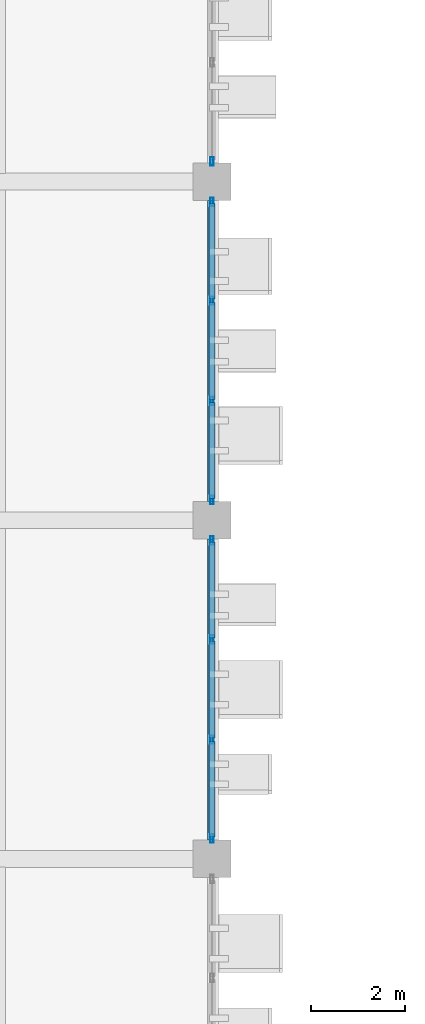
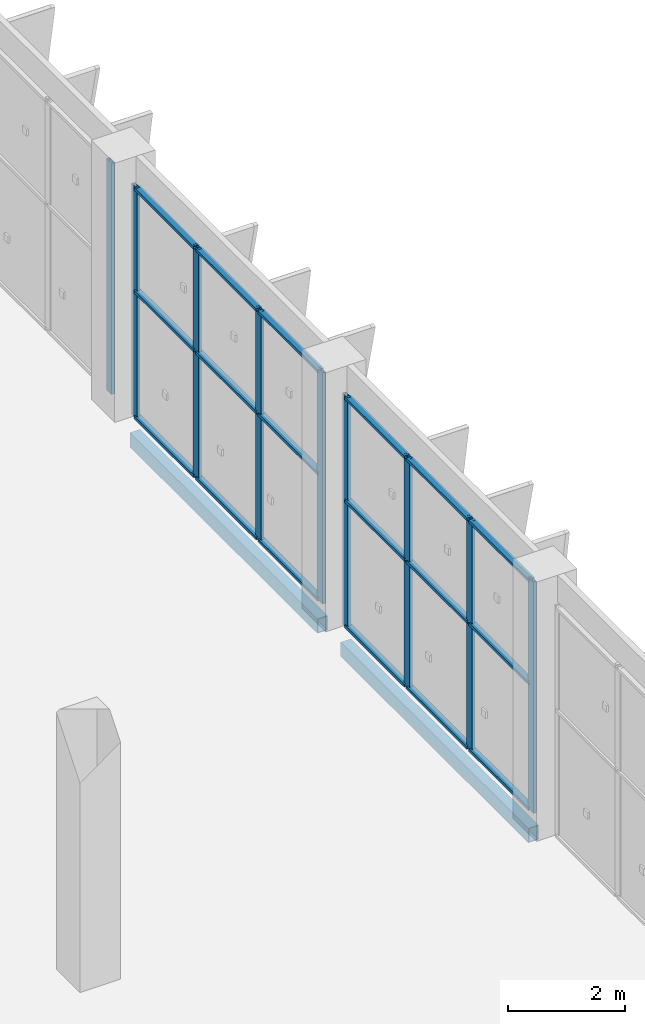
# One storey, part 56 of 137: 27 members, 2 beams, 3 elements without a shape of their own.
"""IFC4 building model written with IfcOpenShell, lengths in metres."""

from ifc_helpers import new_model, si_unit, direction, frame, origin, origin_2d, place, context, subcontext, project, spatial, hollow_rectangle, extrude, material, layer, layer_set, material_profile, profile_set, type_object, element, aggregate, save


model = new_model("IFC4")

# Units and contexts
model_context = context("Model", 3, precision=1e-05, world=origin(), true_north=direction((0.0, 1.0)))
body_context = subcontext(model_context, "Body", "Model", "MODEL_VIEW")
ifc_project = project(units=[si_unit("LENGTHUNIT", "METRE"), si_unit("AREAUNIT", "SQUARE_METRE"), si_unit("VOLUMEUNIT", "CUBIC_METRE"), si_unit("PLANEANGLEUNIT", "RADIAN"), si_unit("MASSUNIT", "GRAM", prefix="KILO")], contexts=[model_context])

# Site, building, storey
site_placement = place(None, origin())
site = spatial("IfcSite", under=ifc_project, at=site_placement, CompositionType="ELEMENT")
building_placement = place(site_placement, origin())
building = spatial("IfcBuilding", under=site, at=building_placement, Name="Celestram Park Convention Centre", CompositionType="ELEMENT")
storey_placement = place(building_placement, origin())
storey = spatial("IfcBuildingStorey", under=building, at=storey_placement, Name="L00", CompositionType="ELEMENT", Elevation=0.0)

# Curtain wall, member
ifc_material_1 = material(Name="Anodised Aluminium Alloy 6063-T6", Category="aluminium")
ifc_layer = layer(ifc_material_1, 0.179931640625)
ifc_layer_set = layer_set([ifc_layer], Name="Anodised Aluminium Alloy 6063-T6")
curtain_wall_type = type_object("IfcCurtainWallType", Name="ARC-CW-640X482", PredefinedType="NOTDEFINED", material=ifc_layer_set)
curtain_wall_1_placement = place(storey_placement, origin())
curtain_wall_1 = element("IfcCurtainWall", 1, at=curtain_wall_1_placement, inside=storey, type_object=curtain_wall_type, Name="Unitised curtain wall CU-L00-009", PredefinedType="NOTDEFINED")
ifc_material_profile_1 = material_profile(ifc_material_1, hollow_rectangle(XDim=0.06494140625, YDim=0.179931640625, WallThickness=0.00390625, at=origin_2d()), Name="ALU65X180X4")
ifc_profile_set_1 = profile_set([ifc_material_profile_1], Name="Anodised Aluminium Alloy 6063-T6")
member_type_1 = type_object("IfcMemberType", Name="ARC-CWM-150", PredefinedType="MULLION", material=ifc_profile_set_1)
member_1_placement = place(storey_placement, frame((144.0, 94.030517578125, 0.0), z_axis=(0.0, 0.0, 1.0), x_axis=(1.0, 0.0, 0.0)))
member_1 = element("IfcMember", 2, at=member_1_placement, type_object=member_type_1, Name="CW-64X48 mullion 4", PredefinedType="MULLION", context=body_context, shape_type="SweptSolid", body=[
    extrude(hollow_rectangle(XDim=0.06494140625, YDim=0.179931640625, WallThickness=0.00390625, at=origin_2d()), origin(), (0.0, 0.0, 1.0), 4.820068359375),
])
aggregate(curtain_wall_1, [member_1])

# Curtain wall, members
curtain_wall_2_placement = place(storey_placement, origin())
curtain_wall_2 = element("IfcCurtainWall", 3, at=curtain_wall_2_placement, inside=storey, type_object=curtain_wall_type, Name="Unitised curtain wall CU-L00-010", PredefinedType="NOTDEFINED")
member_2_placement = place(storey_placement, frame((144.0, 93.16943359375, 0.0), z_axis=(0.0, 0.0, 1.0), x_axis=(1.0, 0.0, 0.0)))
member_2 = element("IfcMember", 4, at=member_2_placement, type_object=member_type_1, Name="CW-64X48 mullion 1", PredefinedType="MULLION", context=body_context, shape_type="SweptSolid", body=[
    extrude(hollow_rectangle(XDim=0.06494140625, YDim=0.179931640625, WallThickness=0.00390625, at=origin_2d()), origin(), (0.0, 0.0, 1.0), 4.820068359375),
])
member_3_placement = place(storey_placement, frame((144.0, 91.0673828125, 0.0), z_axis=(0.0, 0.0, 1.0), x_axis=(1.0, 0.0, 0.0)))
member_3 = element("IfcMember", 5, at=member_3_placement, type_object=member_type_1, Name="CW-64X48 mullion 2", PredefinedType="MULLION", context=body_context, shape_type="SweptSolid", body=[
    extrude(hollow_rectangle(XDim=0.06494140625, YDim=0.179931640625, WallThickness=0.00390625, at=origin_2d()), origin(), (0.0, 0.0, 1.0), 4.820068359375),
])
member_4_placement = place(storey_placement, frame((144.0, 88.9326171875, 0.0), z_axis=(0.0, 0.0, 1.0), x_axis=(1.0, 0.0, 0.0)))
member_4 = element("IfcMember", 6, at=member_4_placement, type_object=member_type_1, Name="CW-64X48 mullion 3", PredefinedType="MULLION", context=body_context, shape_type="SweptSolid", body=[
    extrude(hollow_rectangle(XDim=0.06494140625, YDim=0.179931640625, WallThickness=0.00390625, at=origin_2d()), origin(), (0.0, 0.0, 1.0), 4.820068359375),
])
member_5_placement = place(storey_placement, frame((144.0, 86.83056640625, 0.0), z_axis=(0.0, 0.0, 1.0), x_axis=(1.0, 0.0, 0.0)))
member_5 = element("IfcMember", 7, at=member_5_placement, type_object=member_type_1, Name="CW-64X48 mullion 4", PredefinedType="MULLION", context=body_context, shape_type="SweptSolid", body=[
    extrude(hollow_rectangle(XDim=0.06494140625, YDim=0.179931640625, WallThickness=0.00390625, at=origin_2d()), origin(), (0.0, 0.0, 1.0), 4.820068359375),
])

curtain_wall_3_placement = place(storey_placement, origin())
curtain_wall_3 = element("IfcCurtainWall", 8, at=curtain_wall_3_placement, inside=storey, type_object=curtain_wall_type, Name="Unitised curtain wall CU-L00-011", PredefinedType="NOTDEFINED")
member_6_placement = place(storey_placement, frame((144.0, 85.969482421875, 0.0), z_axis=(0.0, 0.0, 1.0), x_axis=(1.0, 0.0, 0.0)))
member_6 = element("IfcMember", 9, at=member_6_placement, type_object=member_type_1, Name="CW-64X48 mullion 1", PredefinedType="MULLION", context=body_context, shape_type="SweptSolid", body=[
    extrude(hollow_rectangle(XDim=0.06494140625, YDim=0.179931640625, WallThickness=0.00390625, at=origin_2d()), origin(), (0.0, 0.0, 1.0), 4.820068359375),
])
member_7_placement = place(storey_placement, frame((144.0, 83.867431640625, 0.0), z_axis=(0.0, 0.0, 1.0), x_axis=(1.0, 0.0, 0.0)))
member_7 = element("IfcMember", 10, at=member_7_placement, type_object=member_type_1, Name="CW-64X48 mullion 2", PredefinedType="MULLION", context=body_context, shape_type="SweptSolid", body=[
    extrude(hollow_rectangle(XDim=0.06494140625, YDim=0.179931640625, WallThickness=0.00390625, at=origin_2d()), origin(), (0.0, 0.0, 1.0), 4.820068359375),
])
member_8_placement = place(storey_placement, frame((144.0, 81.732666015625, 0.0), z_axis=(0.0, 0.0, 1.0), x_axis=(1.0, 0.0, 0.0)))
member_8 = element("IfcMember", 11, at=member_8_placement, type_object=member_type_1, Name="CW-64X48 mullion 3", PredefinedType="MULLION", context=body_context, shape_type="SweptSolid", body=[
    extrude(hollow_rectangle(XDim=0.06494140625, YDim=0.179931640625, WallThickness=0.00390625, at=origin_2d()), origin(), (0.0, 0.0, 1.0), 4.820068359375),
])
member_9_placement = place(storey_placement, frame((144.0, 79.630615234375, 0.0), z_axis=(0.0, 0.0, 1.0), x_axis=(1.0, 0.0, 0.0)))
member_9 = element("IfcMember", 12, at=member_9_placement, type_object=member_type_1, Name="CW-64X48 mullion 4", PredefinedType="MULLION", context=body_context, shape_type="SweptSolid", body=[
    extrude(hollow_rectangle(XDim=0.06494140625, YDim=0.179931640625, WallThickness=0.00390625, at=origin_2d()), origin(), (0.0, 0.0, 1.0), 4.820068359375),
])

# Member
ifc_material_profile_2 = material_profile(ifc_material_1, hollow_rectangle(XDim=0.1201171875, YDim=0.06005859375, WallThickness=0.0029296875, at=origin_2d()), Name="ALU120X60X3")
ifc_profile_set_2 = profile_set([ifc_material_profile_2], Name="Anodised Aluminium Alloy 6063-T6")
member_type_2 = type_object("IfcMemberType", Name="ARC-CWT-120", PredefinedType="USERDEFINED", material=ifc_profile_set_2)
member_10_placement = place(storey_placement, frame((144.0, 93.136962890625, 0.030029296875), z_axis=(0.0, -1.0, 0.0), x_axis=(1.0, 0.0, 0.0)))
member_10 = element("IfcMember", 13, at=member_10_placement, type_object=member_type_2, Name="CW-64X48 transom 1.1", ObjectType="TRANSOM", PredefinedType="USERDEFINED", context=body_context, shape_type="SweptSolid", body=[
    extrude(hollow_rectangle(XDim=0.1201171875, YDim=0.06005859375, WallThickness=0.0029296875, at=origin_2d()), origin(), (0.0, 0.0, 1.0), 2.037109375),
])

member_11_placement = place(storey_placement, frame((144.0, 93.136962890625, 2.64990234375), z_axis=(0.0, -1.0, 0.0), x_axis=(1.0, 0.0, 0.0)))
member_11 = element("IfcMember", 14, at=member_11_placement, type_object=member_type_2, Name="CW-64X48 transom 1.2", ObjectType="TRANSOM", PredefinedType="USERDEFINED", context=body_context, shape_type="SweptSolid", body=[
    extrude(hollow_rectangle(XDim=0.1201171875, YDim=0.06005859375, WallThickness=0.0029296875, at=origin_2d()), origin(), (0.0, 0.0, 1.0), 2.037109375),
])

member_12_placement = place(storey_placement, frame((144.0, 93.136962890625, 4.7900390625), z_axis=(0.0, -1.0, 0.0), x_axis=(1.0, 0.0, 0.0)))
member_12 = element("IfcMember", 15, at=member_12_placement, type_object=member_type_2, Name="CW-64X48 transom 1.3", ObjectType="TRANSOM", PredefinedType="USERDEFINED", context=body_context, shape_type="SweptSolid", body=[
    extrude(hollow_rectangle(XDim=0.1201171875, YDim=0.06005859375, WallThickness=0.0029296875, at=origin_2d()), origin(), (0.0, 0.0, 1.0), 2.037109375),
])

member_13_placement = place(storey_placement, frame((144.0, 91.034912109375, 0.030029296875), z_axis=(0.0, -1.0, 0.0), x_axis=(1.0, 0.0, 0.0)))
member_13 = element("IfcMember", 16, at=member_13_placement, type_object=member_type_2, Name="CW-64X48 transom 2.1", ObjectType="TRANSOM", PredefinedType="USERDEFINED", context=body_context, shape_type="SweptSolid", body=[
    extrude(hollow_rectangle(XDim=0.1201171875, YDim=0.06005859375, WallThickness=0.0029296875, at=origin_2d()), origin(), (0.0, 0.0, 1.0), 2.06982421875),
])

member_14_placement = place(storey_placement, frame((144.0, 91.034912109375, 2.64990234375), z_axis=(0.0, -1.0, 0.0), x_axis=(1.0, 0.0, 0.0)))
member_14 = element("IfcMember", 17, at=member_14_placement, type_object=member_type_2, Name="CW-64X48 transom 2.2", ObjectType="TRANSOM", PredefinedType="USERDEFINED", context=body_context, shape_type="SweptSolid", body=[
    extrude(hollow_rectangle(XDim=0.1201171875, YDim=0.06005859375, WallThickness=0.0029296875, at=origin_2d()), origin(), (0.0, 0.0, 1.0), 2.06982421875),
])

member_15_placement = place(storey_placement, frame((144.0, 91.034912109375, 4.7900390625), z_axis=(0.0, -1.0, 0.0), x_axis=(1.0, 0.0, 0.0)))
member_15 = element("IfcMember", 18, at=member_15_placement, type_object=member_type_2, Name="CW-64X48 transom 2.3", ObjectType="TRANSOM", PredefinedType="USERDEFINED", context=body_context, shape_type="SweptSolid", body=[
    extrude(hollow_rectangle(XDim=0.1201171875, YDim=0.06005859375, WallThickness=0.0029296875, at=origin_2d()), origin(), (0.0, 0.0, 1.0), 2.06982421875),
])

member_16_placement = place(storey_placement, frame((144.0, 88.900146484375, 0.030029296875), z_axis=(0.0, -1.0, 0.0), x_axis=(1.0, 0.0, 0.0)))
member_16 = element("IfcMember", 19, at=member_16_placement, type_object=member_type_2, Name="CW-64X48 transom 3.1", ObjectType="TRANSOM", PredefinedType="USERDEFINED", context=body_context, shape_type="SweptSolid", body=[
    extrude(hollow_rectangle(XDim=0.1201171875, YDim=0.06005859375, WallThickness=0.0029296875, at=origin_2d()), origin(), (0.0, 0.0, 1.0), 2.037109375),
])

member_17_placement = place(storey_placement, frame((144.0, 88.900146484375, 2.64990234375), z_axis=(0.0, -1.0, 0.0), x_axis=(1.0, 0.0, 0.0)))
member_17 = element("IfcMember", 20, at=member_17_placement, type_object=member_type_2, Name="CW-64X48 transom 3.2", ObjectType="TRANSOM", PredefinedType="USERDEFINED", context=body_context, shape_type="SweptSolid", body=[
    extrude(hollow_rectangle(XDim=0.1201171875, YDim=0.06005859375, WallThickness=0.0029296875, at=origin_2d()), origin(), (0.0, 0.0, 1.0), 2.037109375),
])

member_18_placement = place(storey_placement, frame((144.0, 88.900146484375, 4.7900390625), z_axis=(0.0, -1.0, 0.0), x_axis=(1.0, 0.0, 0.0)))
member_18 = element("IfcMember", 21, at=member_18_placement, type_object=member_type_2, Name="CW-64X48 transom 3.3", ObjectType="TRANSOM", PredefinedType="USERDEFINED", context=body_context, shape_type="SweptSolid", body=[
    extrude(hollow_rectangle(XDim=0.1201171875, YDim=0.06005859375, WallThickness=0.0029296875, at=origin_2d()), origin(), (0.0, 0.0, 1.0), 2.037109375),
])

aggregate(curtain_wall_2, [member_2, member_3, member_4, member_5, member_10, member_11, member_12, member_13, member_14, member_15, member_16, member_17, member_18])

member_19_placement = place(storey_placement, frame((144.0, 85.93701171875, 0.030029296875), z_axis=(0.0, -1.0, 0.0), x_axis=(1.0, 0.0, 0.0)))
member_19 = element("IfcMember", 22, at=member_19_placement, type_object=member_type_2, Name="CW-64X48 transom 1.1", ObjectType="TRANSOM", PredefinedType="USERDEFINED", context=body_context, shape_type="SweptSolid", body=[
    extrude(hollow_rectangle(XDim=0.1201171875, YDim=0.06005859375, WallThickness=0.0029296875, at=origin_2d()), origin(), (0.0, 0.0, 1.0), 2.037109375),
])

member_20_placement = place(storey_placement, frame((144.0, 85.93701171875, 2.64990234375), z_axis=(0.0, -1.0, 0.0), x_axis=(1.0, 0.0, 0.0)))
member_20 = element("IfcMember", 23, at=member_20_placement, type_object=member_type_2, Name="CW-64X48 transom 1.2", ObjectType="TRANSOM", PredefinedType="USERDEFINED", context=body_context, shape_type="SweptSolid", body=[
    extrude(hollow_rectangle(XDim=0.1201171875, YDim=0.06005859375, WallThickness=0.0029296875, at=origin_2d()), origin(), (0.0, 0.0, 1.0), 2.037109375),
])

member_21_placement = place(storey_placement, frame((144.0, 85.93701171875, 4.7900390625), z_axis=(0.0, -1.0, 0.0), x_axis=(1.0, 0.0, 0.0)))
member_21 = element("IfcMember", 24, at=member_21_placement, type_object=member_type_2, Name="CW-64X48 transom 1.3", ObjectType="TRANSOM", PredefinedType="USERDEFINED", context=body_context, shape_type="SweptSolid", body=[
    extrude(hollow_rectangle(XDim=0.1201171875, YDim=0.06005859375, WallThickness=0.0029296875, at=origin_2d()), origin(), (0.0, 0.0, 1.0), 2.037109375),
])

member_22_placement = place(storey_placement, frame((144.0, 83.834716796875, 0.030029296875), z_axis=(0.0, -1.0, 0.0), x_axis=(1.0, 0.0, 0.0)))
member_22 = element("IfcMember", 25, at=member_22_placement, type_object=member_type_2, Name="CW-64X48 transom 2.1", ObjectType="TRANSOM", PredefinedType="USERDEFINED", context=body_context, shape_type="SweptSolid", body=[
    extrude(hollow_rectangle(XDim=0.1201171875, YDim=0.06005859375, WallThickness=0.0029296875, at=origin_2d()), origin(), (0.0, 0.0, 1.0), 2.069580078125),
])

member_23_placement = place(storey_placement, frame((144.0, 83.834716796875, 2.64990234375), z_axis=(0.0, -1.0, 0.0), x_axis=(1.0, 0.0, 0.0)))
member_23 = element("IfcMember", 26, at=member_23_placement, type_object=member_type_2, Name="CW-64X48 transom 2.2", ObjectType="TRANSOM", PredefinedType="USERDEFINED", context=body_context, shape_type="SweptSolid", body=[
    extrude(hollow_rectangle(XDim=0.1201171875, YDim=0.06005859375, WallThickness=0.0029296875, at=origin_2d()), origin(), (0.0, 0.0, 1.0), 2.069580078125),
])

member_24_placement = place(storey_placement, frame((144.0, 83.834716796875, 4.7900390625), z_axis=(0.0, -1.0, 0.0), x_axis=(1.0, 0.0, 0.0)))
member_24 = element("IfcMember", 27, at=member_24_placement, type_object=member_type_2, Name="CW-64X48 transom 2.3", ObjectType="TRANSOM", PredefinedType="USERDEFINED", context=body_context, shape_type="SweptSolid", body=[
    extrude(hollow_rectangle(XDim=0.1201171875, YDim=0.06005859375, WallThickness=0.0029296875, at=origin_2d()), origin(), (0.0, 0.0, 1.0), 2.069580078125),
])

member_25_placement = place(storey_placement, frame((144.0, 81.7001953125, 0.030029296875), z_axis=(0.0, -1.0, 0.0), x_axis=(1.0, 0.0, 0.0)))
member_25 = element("IfcMember", 28, at=member_25_placement, type_object=member_type_2, Name="CW-64X48 transom 3.1", ObjectType="TRANSOM", PredefinedType="USERDEFINED", context=body_context, shape_type="SweptSolid", body=[
    extrude(hollow_rectangle(XDim=0.1201171875, YDim=0.06005859375, WallThickness=0.0029296875, at=origin_2d()), origin(), (0.0, 0.0, 1.0), 2.037109375),
])

member_26_placement = place(storey_placement, frame((144.0, 81.7001953125, 2.64990234375), z_axis=(0.0, -1.0, 0.0), x_axis=(1.0, 0.0, 0.0)))
member_26 = element("IfcMember", 29, at=member_26_placement, type_object=member_type_2, Name="CW-64X48 transom 3.2", ObjectType="TRANSOM", PredefinedType="USERDEFINED", context=body_context, shape_type="SweptSolid", body=[
    extrude(hollow_rectangle(XDim=0.1201171875, YDim=0.06005859375, WallThickness=0.0029296875, at=origin_2d()), origin(), (0.0, 0.0, 1.0), 2.037109375),
])

member_27_placement = place(storey_placement, frame((144.0, 81.7001953125, 4.7900390625), z_axis=(0.0, -1.0, 0.0), x_axis=(1.0, 0.0, 0.0)))
member_27 = element("IfcMember", 30, at=member_27_placement, type_object=member_type_2, Name="CW-64X48 transom 3.3", ObjectType="TRANSOM", PredefinedType="USERDEFINED", context=body_context, shape_type="SweptSolid", body=[
    extrude(hollow_rectangle(XDim=0.1201171875, YDim=0.06005859375, WallThickness=0.0029296875, at=origin_2d()), origin(), (0.0, 0.0, 1.0), 2.037109375),
])

aggregate(curtain_wall_3, [member_6, member_7, member_8, member_9, member_19, member_20, member_21, member_22, member_23, member_24, member_25, member_26, member_27])

# Beams
ifc_material_2 = material(Name="Steel ASTM A500 Grade C", Category="steel")
ifc_material_profile_3 = material_profile(ifc_material_2, hollow_rectangle(XDim=0.199951171875, YDim=0.300048828125, WallThickness=0.011962890625, at=origin_2d()), Name="HSS300X200X12")
ifc_profile_set_3 = profile_set([ifc_material_profile_3], Name="Steel ASTM A500 Grade C")
beam_type = type_object("IfcBeamType", Name="STR-SPN-HSS300X200", PredefinedType="SPANDREL", material=ifc_profile_set_3)
beam_1_placement = place(storey_placement, frame((144.0, 79.597900390625, -0.469970703125), z_axis=(0.0, 1.0, 0.0), x_axis=(-1.0, 0.0, 0.0)))
element("IfcBeam", 31, at=beam_1_placement, inside=storey, type_object=beam_type, Name="Primary Y-girder BG-L00-0676", PredefinedType="SPANDREL", context=body_context, shape_type="SweptSolid", body=[
    extrude(hollow_rectangle(XDim=0.199951171875, YDim=0.300048828125, WallThickness=0.011962890625, at=origin_2d()), origin(), (0.0, 0.0, 1.0), 6.404052734375),
])
beam_2_placement = place(storey_placement, frame((144.0, 86.798095703125, -0.469970703125), z_axis=(0.0, 1.0, 0.0), x_axis=(-1.0, 0.0, 0.0)))
element("IfcBeam", 32, at=beam_2_placement, inside=storey, type_object=beam_type, Name="Primary Y-girder BG-L00-0677", PredefinedType="SPANDREL", context=body_context, shape_type="SweptSolid", body=[
    extrude(hollow_rectangle(XDim=0.199951171875, YDim=0.300048828125, WallThickness=0.011962890625, at=origin_2d()), origin(), (0.0, 0.0, 1.0), 6.40380859375),
])

save(model, "model.ifc")
